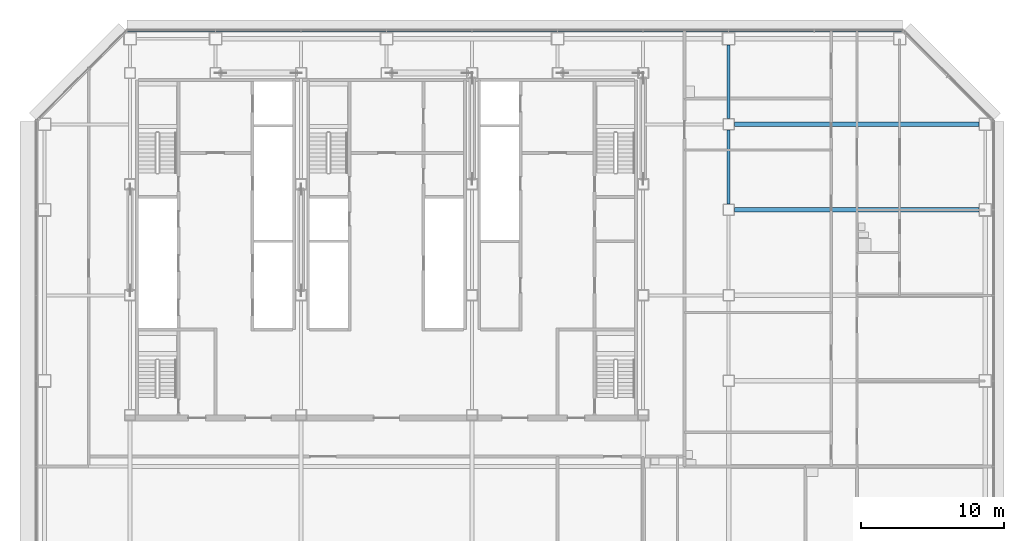
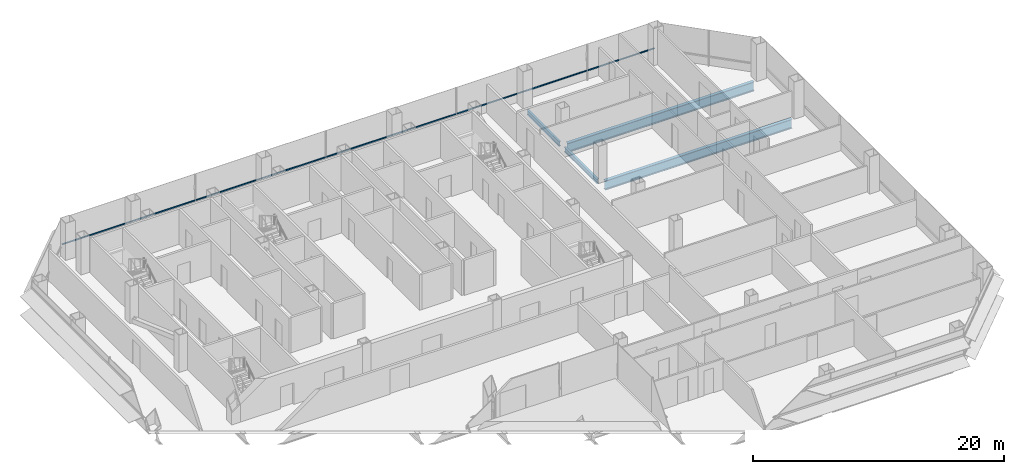
# One storey, part 14 of 27: 4 beams, 1 member, 1 element without a shape of its own.
"""IFC4 building model written with IfcOpenShell, lengths in metres."""

import ifcopenshell
import ifcopenshell.guid

model = None  # the IFC model being written
_history = None  # IfcOwnerHistory: only IFC2X3 demands one
_inside = {}  # id of a spatial element -> (the spatial element, [elements in it])
_under = {}  # id of a project, library or spatial element -> (it, [spatial elements below it])
_declared = {}  # id of a project -> (the project, [libraries it declares])
_typed = {}  # id of a type object -> (the type object, [elements of that type])
_made_of = {}  # id of a material, layer set ... -> (it, [elements and type objects made of it])


def new_model(schema):
    """Start an empty IFC model of exactly this schema.

    Asked for "IFC4X3", IfcOpenShell would pick the latest addendum, in which some entities
    have other attributes; the version numbers below select the first issue.
    IFC2X3 requires an IfcOwnerHistory on every rooted entity: one is made here for all.
    """
    global model, _history
    if schema == "IFC4X3":
        model = ifcopenshell.file(schema_version=(4, 3, 0, 0))
    else:
        model = ifcopenshell.file(schema=schema)
    _inside.clear()
    _under.clear()
    _declared.clear()
    _typed.clear()
    _made_of.clear()
    _history = None
    if model.schema == "IFC2X3":
        org = make("IfcOrganization", Name="unknown")
        user = make(
            "IfcPersonAndOrganization",
            ThePerson=make("IfcPerson", FamilyName="unknown"),
            TheOrganization=org,
        )
        app = make(
            "IfcApplication",
            ApplicationDeveloper=org,
            Version="unknown",
            ApplicationFullName="unknown",
            ApplicationIdentifier="unknown",
        )
        _history = make(
            "IfcOwnerHistory",
            OwningUser=user,
            OwningApplication=app,
            ChangeAction="ADDED",
            CreationDate=0,
        )
    return model


def make(cls, **values):
    """One entity of the class cls with the attributes given. An attribute that is None is left unset."""
    return model.create_entity(
        cls, **{name: value for name, value in values.items() if value is not None}
    )


def rooted(cls, **values):
    """An entity with a GlobalId (a new one), such as an element, a storey or a relation."""
    return make(cls, GlobalId=ifcopenshell.guid.new(), OwnerHistory=_history, **values)


def si_unit(unit_type, name, prefix=None):
    """IfcSIUnit, for example si_unit("LENGTHUNIT", "METRE", prefix="MILLI")."""
    return make("IfcSIUnit", UnitType=unit_type, Prefix=prefix, Name=name)


def assignment(units):
    """IfcUnitAssignment: the units of a project."""
    return None if units is None else make("IfcUnitAssignment", Units=units)


def point(xyz):
    """IfcCartesianPoint."""
    return None if xyz is None else make("IfcCartesianPoint", Coordinates=xyz)


def direction(xyz):
    """IfcDirection."""
    return None if xyz is None else make("IfcDirection", DirectionRatios=xyz)


def frame(location, z_axis=None, x_axis=None):
    """IfcAxis2Placement3D, a coordinate frame: its origin and axes. An axis left out is left unset."""
    return make(
        "IfcAxis2Placement3D",
        Location=point(location),
        Axis=direction(z_axis),
        RefDirection=direction(x_axis),
    )


def frame_2d(location, x_axis=None):
    """IfcAxis2Placement2D, a coordinate frame in the plane: its origin and x axis."""
    return make(
        "IfcAxis2Placement2D", Location=point(location), RefDirection=direction(x_axis)
    )


def origin():
    """The frame at (0, 0, 0) with its axes left unset."""
    return frame((0.0, 0.0, 0.0))


def origin_2d():
    """The frame at (0, 0) in the plane with its x axis left unset."""
    return frame_2d((0.0, 0.0))


def place(relative_to, where):
    """IfcLocalPlacement: puts the frame where relative to a parent placement (None: the world)."""
    return make(
        "IfcLocalPlacement", PlacementRelTo=relative_to, RelativePlacement=where
    )


def context(
    kind, dimensions, precision=None, world=None, true_north=None, identifier=None
):
    """IfcGeometricRepresentationContext, for example the 3D "Model" context."""
    return make(
        "IfcGeometricRepresentationContext",
        ContextIdentifier=identifier,
        ContextType=kind,
        CoordinateSpaceDimension=dimensions,
        Precision=precision,
        WorldCoordinateSystem=world,
        TrueNorth=true_north,
    )


def subcontext(parent, identifier, kind, view, scale=None):
    """IfcGeometricRepresentationSubContext, for example "Body" below "Model"."""
    return make(
        "IfcGeometricRepresentationSubContext",
        ContextIdentifier=identifier,
        ContextType=kind,
        ParentContext=parent,
        TargetScale=scale,
        TargetView=view,
    )


def project(units=None, contexts=None):
    """IfcProject with its units and contexts."""
    return rooted(
        "IfcProject",
        Name="project",
        RepresentationContexts=contexts,
        UnitsInContext=assignment(units),
    )


def spatial(cls, under=None, at=None, **own):
    """A site, building, storey or space (cls), placed at a placement, below another one or the project."""
    s = rooted(cls, ObjectPlacement=at, **own)
    if under is not None:
        _under.setdefault(under.id(), (under, []))[1].append(s)
    return s


def profile(cls, at=None, kind="AREA", **sizes):
    """A parametric profile (cls). Its sizes go by their IFC names, for example OverallWidth=200.0."""
    return make(cls, ProfileType=kind, Position=at, **sizes)


def rectangle(**sizes):
    """IfcRectangleProfileDef."""
    return profile("IfcRectangleProfileDef", **sizes)


def i_section(**sizes):
    """IfcIShapeProfileDef."""
    return profile("IfcIShapeProfileDef", **sizes)


def extrude(swept, where, along, depth):
    """IfcExtrudedAreaSolid: the profile swept, set in the frame where, extruded along a direction by depth."""
    return make(
        "IfcExtrudedAreaSolid",
        SweptArea=swept,
        Position=where,
        ExtrudedDirection=direction(along),
        Depth=depth,
    )


def shape(context_of_items, identifier, shape_type, items):
    """IfcShapeRepresentation: the items that make up one representation, for example the "Body"."""
    return make(
        "IfcShapeRepresentation",
        ContextOfItems=context_of_items,
        RepresentationIdentifier=identifier,
        RepresentationType=shape_type,
        Items=items,
    )


def material(Name=None, Category=None):
    """IfcMaterial."""
    return make("IfcMaterial", Name=Name, Category=Category)


def material_profile(
    of_material, cross_section, Name=None, Category=None, Priority=None
):
    """IfcMaterialProfile: a cross section and its material."""
    return make(
        "IfcMaterialProfile",
        Name=Name,
        Material=of_material,
        Profile=cross_section,
        Priority=Priority,
        Category=Category,
    )


def profile_set(profiles, Name=None, composite=None):
    """IfcMaterialProfileSet."""
    return make(
        "IfcMaterialProfileSet",
        Name=Name,
        MaterialProfiles=profiles,
        CompositeProfile=composite,
    )


def made_of(thing, what):
    """Note that an element or type object is made of a material, layer set ...; save() writes the relation."""
    if what is not None:
        _made_of.setdefault(what.id(), (what, []))[1].append(thing)
    return thing


def type_object(cls, material=None, **own):
    """A type object (cls), such as IfcWallType, which elements share."""
    return made_of(rooted(cls, **own), material)


def element(
    cls,
    number,
    at=None,
    inside=None,
    cuts=None,
    type_object=None,
    material=None,
    context=None,
    identifier="Body",
    shape_type=None,
    held_by="IfcProductDefinitionShape",
    body=None,
    shapes=None,
    **own,
):
    """One element of the class cls, such as IfcWall. Its Tag is "e" and its number.

    at: its placement. inside: the storey or other place that contains it. cuts: it is an
    opening in that element (IfcRelVoidsElement). A single representation is given by context,
    identifier, shape_type and body (its items); several are given by shapes. held_by: the class
    of the entity that holds the representations. save() writes the other relations.
    """
    e = rooted(cls, Tag="e%d" % number, ObjectPlacement=at, **own)
    if body is not None:
        shapes = [shape(context, identifier, shape_type, body)]
    if shapes is not None:
        e.Representation = make(held_by, Representations=shapes)
    if inside is not None:
        _inside.setdefault(inside.id(), (inside, []))[1].append(e)
    if cuts is not None:
        rooted(
            "IfcRelVoidsElement", RelatingBuildingElement=cuts, RelatedOpeningElement=e
        )
    if type_object is not None:
        _typed.setdefault(type_object.id(), (type_object, []))[1].append(e)
    return made_of(e, material)


def aggregate(whole, parts):
    """IfcRelAggregates: a whole, such as a stair, and the parts it consists of."""
    return rooted("IfcRelAggregates", RelatingObject=whole, RelatedObjects=parts)


def save(model, path):
    """Write the relations noted so far, then the file.

    IfcRelAggregates (storeys below a building ...), IfcRelContainedInSpatialStructure (elements
    in a storey), IfcRelDefinesByType, IfcRelAssociatesMaterial and IfcRelDeclares: one each for
    every whole, place, type object, material and project.
    """
    for whole, parts in _under.values():
        aggregate(whole, parts)
    for where, things in _inside.values():
        rooted(
            "IfcRelContainedInSpatialStructure",
            RelatedElements=things,
            RelatingStructure=where,
        )
    for kind, things in _typed.values():
        rooted("IfcRelDefinesByType", RelatedObjects=things, RelatingType=kind)
    for what, things in _made_of.values():
        rooted("IfcRelAssociatesMaterial", RelatedObjects=things, RelatingMaterial=what)
    for by, libraries in _declared.values():
        rooted("IfcRelDeclares", RelatingContext=by, RelatedDefinitions=libraries)
    model.write(path)


model = new_model("IFC4")

# Units and contexts
model_context = context("Model", 3, precision=1e-05, world=origin(), true_north=direction((0.0, 1.0)))
body_context = subcontext(model_context, "Body", "Model", "MODEL_VIEW")
ifc_project = project(units=[si_unit("LENGTHUNIT", "METRE"), si_unit("AREAUNIT", "SQUARE_METRE"), si_unit("VOLUMEUNIT", "CUBIC_METRE"), si_unit("PLANEANGLEUNIT", "RADIAN"), si_unit("MASSUNIT", "GRAM", prefix="KILO")], contexts=[model_context])

# Site, building, storey
site_placement = place(None, origin())
site = spatial("IfcSite", under=ifc_project, at=site_placement, CompositionType="ELEMENT")
building_placement = place(site_placement, origin())
building = spatial("IfcBuilding", under=site, at=building_placement, Name="Sorahane Residences", CompositionType="ELEMENT")
storey_placement = place(building_placement, frame((0.0, 0.0, 82.199951171875)))
storey = spatial("IfcBuildingStorey", under=building, at=storey_placement, Name="L17", CompositionType="ELEMENT", Elevation=82.199951171875)

# Curtain wall, member
ifc_material_1 = material(Name="Dark low-e glass and black anodised aluminium", Category="aluminium")
curtain_wall_type = type_object("IfcCurtainWallType", Name="Curtain wall CW-1 Typical unitised wall", PredefinedType="NOTDEFINED", material=ifc_material_1)
curtain_wall_placement = place(storey_placement, origin())
curtain_wall = element("IfcCurtainWall", 1, at=curtain_wall_placement, inside=storey, type_object=curtain_wall_type, Name="CW-1 curtain wall L17 N1", PredefinedType="NOTDEFINED")
ifc_material_2 = material(Name="Black anodised aluminium", Category="aluminium")
ifc_material_profile_1 = material_profile(ifc_material_2, rectangle(XDim=0.10009765625, YDim=0.06005859375, at=origin_2d()), Name="Curtain wall transom CW-1 black anodised aluminium 60x100")
ifc_profile_set_1 = profile_set([ifc_material_profile_1], Name="Black anodised aluminium")
member_type = type_object("IfcMemberType", Name="Curtain wall transom CW-1 black anodised aluminium 60x100", PredefinedType="USERDEFINED", material=ifc_profile_set_1)
member_placement = place(storey_placement, frame((60.198486328125, 48.530029296875, 0.900146484375), z_axis=(-1.0, 0.0, 0.0), x_axis=(0.0, -1.0, 0.0)))
member = element("IfcMember", 2, at=member_placement, type_object=member_type, Name="CW-1 transom L17 N1", ObjectType="TRANSOM", PredefinedType="USERDEFINED", context=body_context, shape_type="SweptSolid", body=[
    extrude(rectangle(XDim=0.10009765625, YDim=0.06005859375, at=origin_2d()), origin(), (0.0, 0.0, 1.0), 54.39697265625),
])
aggregate(curtain_wall, [member])

# Beams
ifc_material_3 = material(Name="Steel Q355B", Category="steel")
ifc_material_profile_2 = material_profile(ifc_material_3, i_section(OverallWidth=0.199951171875, OverallDepth=0.449951171875, WebThickness=0.009033203125, FlangeThickness=0.013916015625, FilletRadius=0.02001953125, at=origin_2d()), Name="HN 450x200x9x14")
ifc_profile_set_2 = profile_set([ifc_material_profile_2], Name="Steel Q355B")
beam_type_1 = type_object("IfcBeamType", Name="Steel floor beam HN 450x200x9x14 Q355B", PredefinedType="BEAM", material=ifc_profile_set_2)
beam_1_placement = place(storey_placement, frame((48.0, 36.39990234375, -0.405029296875), z_axis=(0.0, 1.0, 0.0), x_axis=(-1.0, 0.0, 0.0)))
element("IfcBeam", 3, at=beam_1_placement, inside=storey, type_object=beam_type_1, Name="Beam L17 054", PredefinedType="BEAM", context=body_context, shape_type="SweptSolid", body=[
    extrude(i_section(OverallWidth=0.199951171875, OverallDepth=0.449951171875, WebThickness=0.009033203125, FlangeThickness=0.013916015625, FilletRadius=0.02001953125, at=origin_2d()), origin(), (0.0, 0.0, 1.0), 5.2001953125),
])
beam_2_placement = place(storey_placement, frame((48.0, 42.39990234375, -0.405029296875), z_axis=(0.0, 1.0, 0.0), x_axis=(-1.0, 0.0, 0.0)))
element("IfcBeam", 4, at=beam_2_placement, inside=storey, type_object=beam_type_1, Name="Beam L17 055", PredefinedType="BEAM", context=body_context, shape_type="SweptSolid", body=[
    extrude(i_section(OverallWidth=0.199951171875, OverallDepth=0.449951171875, WebThickness=0.009033203125, FlangeThickness=0.013916015625, FilletRadius=0.02001953125, at=origin_2d()), origin(), (0.0, 0.0, 1.0), 5.150146484375),
])
ifc_material_4 = material(Name="Steel Q355B", Category="steel")
ifc_material_profile_3 = material_profile(ifc_material_4, i_section(OverallWidth=0.300048828125, OverallDepth=0.89990234375, WebThickness=0.01611328125, FlangeThickness=0.028076171875, FilletRadius=0.028076171875, at=origin_2d()), Name="HN 900x300x16x28")
ifc_profile_set_3 = profile_set([ifc_material_profile_3], Name="Steel Q355B")
beam_type_2 = type_object("IfcBeamType", Name="Steel floor beam HN 900x300x16x28 Q355B", PredefinedType="BEAM", material=ifc_profile_set_3)
for number, where, z_axis, x_axis, name in (
    (5, (48.39990234375, 36.0, -0.6298828125), (1.0, 0.0, 0.0), (0.0, 1.0, 0.0), "Beam L17 011"),
    (6, (48.39990234375, 42.0, -0.6298828125), (1.0, 0.0, 0.0), (0.0, 1.0, 0.0), "Beam L17 079"),
):
    element("IfcBeam", number, at=place(storey_placement, frame(where, z_axis=z_axis, x_axis=x_axis)), inside=storey, type_object=beam_type_2, Name=name, PredefinedType="BEAM", context=body_context, shape_type="SweptSolid", body=[
        extrude(i_section(OverallWidth=0.300048828125, OverallDepth=0.89990234375, WebThickness=0.01611328125, FlangeThickness=0.028076171875, FilletRadius=0.028076171875, at=origin_2d()), origin(), (0.0, 0.0, 1.0), 17.150146484375),
    ])

save(model, "model.ifc")
